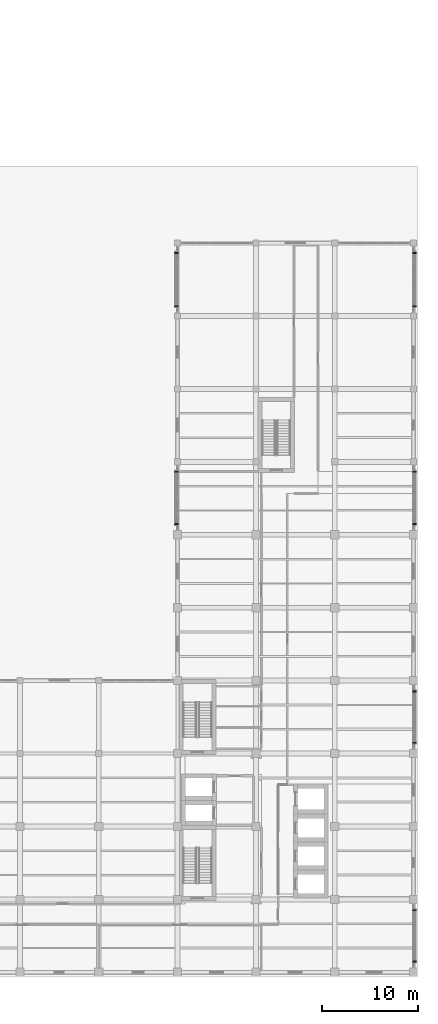
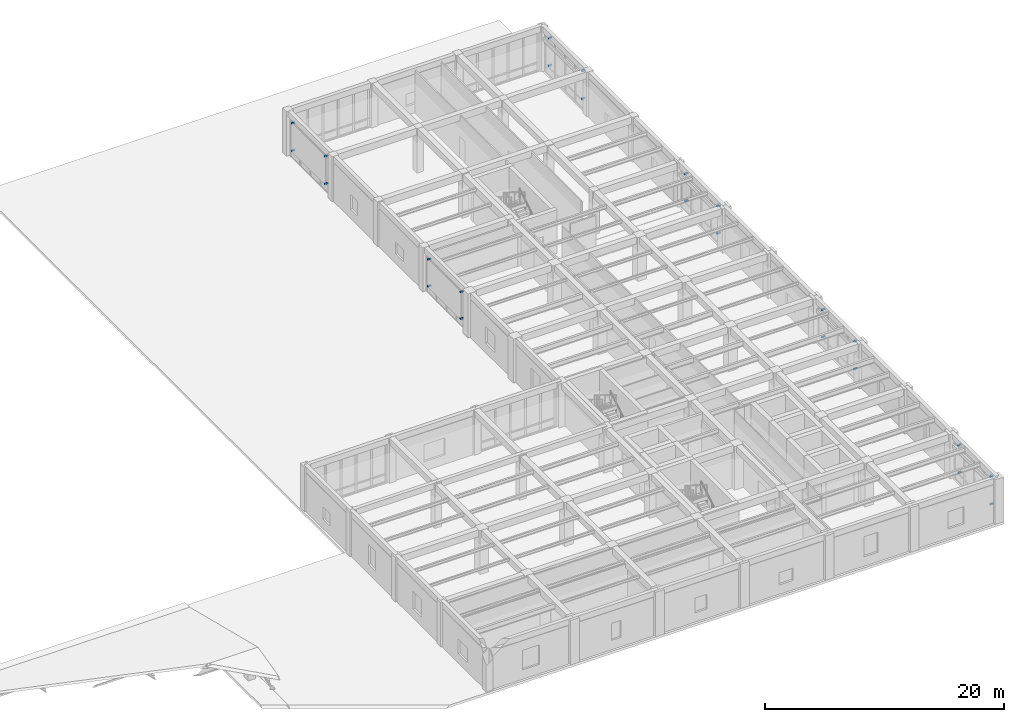
# One storey, part 19 of 23: 24 discrete accessories.
"""IFC4 building model written with IfcOpenShell, lengths in metres."""

from ifc_helpers import new_model, si_unit, direction, frame, origin, origin_2d, place, context, subcontext, project, spatial, rectangle, extrude, material, type_object, element, save


model = new_model("IFC4")

# Units and contexts
model_context = context("Model", 3, precision=1e-05, world=origin(), true_north=direction((0.0, 1.0)))
body_context = subcontext(model_context, "Body", "Model", "MODEL_VIEW")
ifc_project = project(units=[si_unit("LENGTHUNIT", "METRE"), si_unit("AREAUNIT", "SQUARE_METRE"), si_unit("VOLUMEUNIT", "CUBIC_METRE"), si_unit("PLANEANGLEUNIT", "RADIAN"), si_unit("MASSUNIT", "GRAM", prefix="KILO")], contexts=[model_context])

# Site, building, storey
site_placement = place(None, origin())
site = spatial("IfcSite", under=ifc_project, at=site_placement, CompositionType="ELEMENT")
building_placement = place(site_placement, origin())
building = spatial("IfcBuilding", under=site, at=building_placement, Name="Qandaris Square Conservatory and Botanical Centre", CompositionType="ELEMENT")
storey_placement = place(building_placement, frame((0.0, 0.0, 15.0)))
storey = spatial("IfcBuildingStorey", under=building, at=storey_placement, Name="L03", CompositionType="ELEMENT", Elevation=15.0)

# Discrete accessories
ifc_material = material(Name="Steel S355", Category="steel")
discrete_accessory_type = type_object("IfcDiscreteAccessoryType", Name="Mashrabiya Support Outrigger Bracket", PredefinedType="BRACKET", material=ifc_material)
for number, where, z_axis, x_axis, name in (
    (1, (163.909912109375, 17.72509765625, 0.89990234375), (0.0, 0.0, 1.0), (0.0, 1.0, 0.0), "Mashrabiya Bracket CW-TWR-L03-2-1-BRK-6-160"),
    (2, (163.909912109375, 17.72509765625, 3.69482421875), (0.0, 0.0, 1.0), (0.0, 1.0, 0.0), "Mashrabiya Bracket CW-TWR-L03-2-1-BRK-6-188"),
    (3, (163.909912109375, 23.074951171875, 0.89990234375), (0.0, 0.0, 1.0), (0.0, 1.0, 0.0), "Mashrabiya Bracket CW-TWR-L03-2-1-BRK-60-160"),
    (4, (163.909912109375, 23.074951171875, 3.69482421875), (0.0, 0.0, 1.0), (0.0, 1.0, 0.0), "Mashrabiya Bracket CW-TWR-L03-2-1-BRK-60-188"),
    (5, (163.909912109375, 40.52490234375, 0.89990234375), (0.0, 0.0, 1.0), (0.0, 1.0, 0.0), "Mashrabiya Bracket CW-TWR-L03-2-4-BRK-6-160"),
    (6, (163.909912109375, 40.52490234375, 3.69482421875), (0.0, 0.0, 1.0), (0.0, 1.0, 0.0), "Mashrabiya Bracket CW-TWR-L03-2-4-BRK-6-188"),
    (7, (163.909912109375, 45.875, 0.89990234375), (0.0, 0.0, 1.0), (0.0, 1.0, 0.0), "Mashrabiya Bracket CW-TWR-L03-2-4-BRK-60-160"),
    (8, (163.909912109375, 45.875, 3.69482421875), (0.0, 0.0, 1.0), (0.0, 1.0, 0.0), "Mashrabiya Bracket CW-TWR-L03-2-4-BRK-60-188"),
    (9, (163.909912109375, 63.324951171875, 0.89990234375), (0.0, 0.0, 1.0), (0.0, 1.0, 0.0), "Mashrabiya Bracket CW-TWR-L03-2-7-BRK-6-160"),
    (10, (163.909912109375, 63.324951171875, 3.69482421875), (0.0, 0.0, 1.0), (0.0, 1.0, 0.0), "Mashrabiya Bracket CW-TWR-L03-2-7-BRK-6-188"),
    (11, (163.909912109375, 68.77490234375, 0.89990234375), (0.0, 0.0, 1.0), (0.0, 1.0, 0.0), "Mashrabiya Bracket CW-TWR-L03-2-7-BRK-60-160"),
    (12, (163.909912109375, 68.77490234375, 3.69482421875), (0.0, 0.0, 1.0), (0.0, 1.0, 0.0), "Mashrabiya Bracket CW-TWR-L03-2-7-BRK-60-188"),
    (13, (163.909912109375, 86.02490234375, 0.89990234375), (0.0, 0.0, 1.0), (0.0, 1.0, 0.0), "Mashrabiya Bracket CW-TWR-L03-2-10-BRK-6-160"),
    (14, (163.909912109375, 86.02490234375, 3.72021484375), (0.0, 0.0, 1.0), (0.0, 1.0, 0.0), "Mashrabiya Bracket CW-TWR-L03-2-10-BRK-6-188"),
    (15, (163.909912109375, 91.574951171875, 0.89990234375), (0.0, 0.0, 1.0), (0.0, 1.0, 0.0), "Mashrabiya Bracket CW-TWR-L03-2-10-BRK-62-160"),
    (16, (163.909912109375, 91.574951171875, 3.72021484375), (0.0, 0.0, 1.0), (0.0, 1.0, 0.0), "Mashrabiya Bracket CW-TWR-L03-2-10-BRK-62-188"),
    (17, (139.090087890625, 91.574951171875, 0.89990234375), (0.0, 0.0, 1.0), (0.0, -1.0, 0.0), "Mashrabiya Bracket CW-TWR-L03-4-1-BRK-6-160"),
    (18, (139.090087890625, 91.574951171875, 3.72021484375), (0.0, 0.0, 1.0), (0.0, -1.0, 0.0), "Mashrabiya Bracket CW-TWR-L03-4-1-BRK-6-188"),
    (19, (139.090087890625, 86.02490234375, 0.89990234375), (0.0, 0.0, 1.0), (0.0, -1.0, 0.0), "Mashrabiya Bracket CW-TWR-L03-4-1-BRK-62-160"),
    (20, (139.090087890625, 86.02490234375, 3.72021484375), (0.0, 0.0, 1.0), (0.0, -1.0, 0.0), "Mashrabiya Bracket CW-TWR-L03-4-1-BRK-62-188"),
    (21, (139.090087890625, 68.77490234375, 0.89990234375), (0.0, 0.0, 1.0), (0.0, -1.0, 0.0), "Mashrabiya Bracket CW-TWR-L03-4-4-BRK-6-160"),
    (22, (139.090087890625, 68.77490234375, 3.6298828125), (0.0, 0.0, 1.0), (0.0, -1.0, 0.0), "Mashrabiya Bracket CW-TWR-L03-4-4-BRK-6-187"),
    (23, (139.090087890625, 63.324951171875, 0.89990234375), (0.0, 0.0, 1.0), (0.0, -1.0, 0.0), "Mashrabiya Bracket CW-TWR-L03-4-4-BRK-60-160"),
    (24, (139.090087890625, 63.324951171875, 3.6298828125), (0.0, 0.0, 1.0), (0.0, -1.0, 0.0), "Mashrabiya Bracket CW-TWR-L03-4-4-BRK-60-187"),
):
    element("IfcDiscreteAccessory", number, at=place(storey_placement, frame(where, z_axis=z_axis, x_axis=x_axis)), inside=storey, type_object=discrete_accessory_type, Name=name, PredefinedType="BRACKET", context=body_context, shape_type="SweptSolid", body=[
        extrude(rectangle(XDim=0.139892578125, YDim=0.340087890625, at=origin_2d()), origin(), (0.0, 0.0, 1.0), 0.139892578125),
    ])

save(model, "model.ifc")
